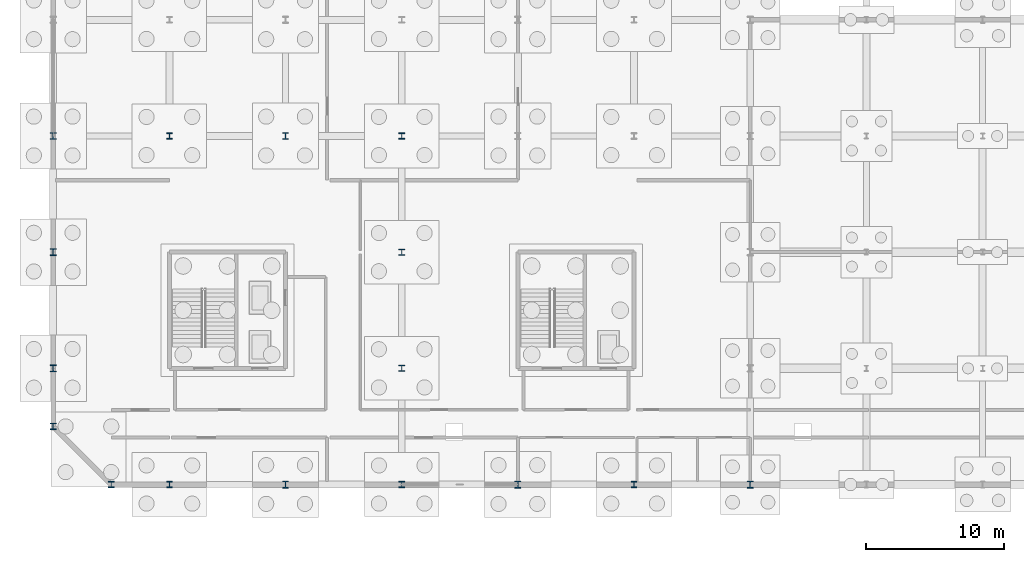
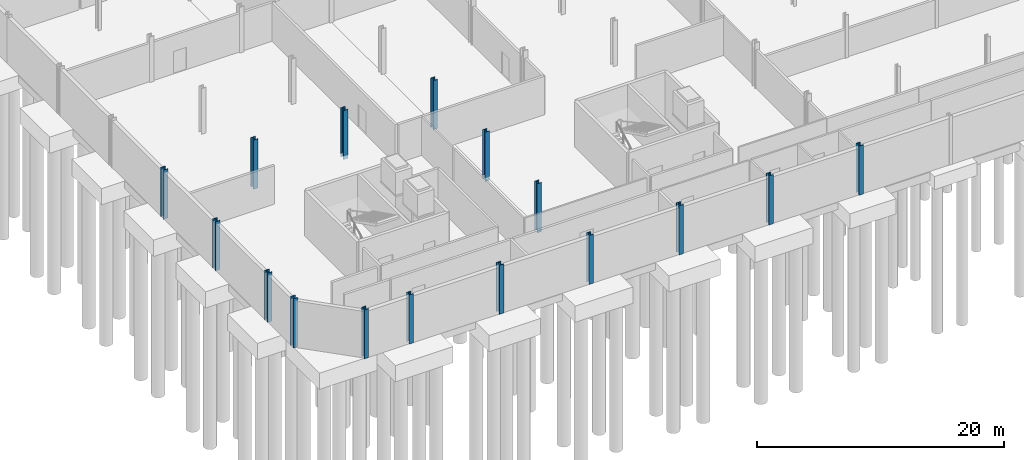
# One storey, part 12 of 51: 16 columns.
"""IFC4 building model written with IfcOpenShell, lengths in metres."""

from ifc_helpers import new_model, si_unit, direction, frame, origin, origin_2d, place, context, subcontext, project, spatial, i_section, extrude, material, material_profile, profile_set, type_object, element, save


model = new_model("IFC4")

# Units and contexts
model_context = context("Model", 3, precision=1e-05, world=origin(), true_north=direction((0.0, 1.0)))
body_context = subcontext(model_context, "Body", "Model", "MODEL_VIEW")
ifc_project = project(units=[si_unit("LENGTHUNIT", "METRE"), si_unit("AREAUNIT", "SQUARE_METRE"), si_unit("VOLUMEUNIT", "CUBIC_METRE"), si_unit("PLANEANGLEUNIT", "RADIAN"), si_unit("MASSUNIT", "GRAM", prefix="KILO")], contexts=[model_context])

# Site, building, storey
site_placement = place(None, origin())
site = spatial("IfcSite", under=ifc_project, at=site_placement, CompositionType="ELEMENT")
building_placement = place(site_placement, origin())
building = spatial("IfcBuilding", under=site, at=building_placement, Name="Qalvenar Corner Mobility Hub", CompositionType="ELEMENT")
storey_placement = place(building_placement, frame((0.0, 0.0, -4.5)))
storey = spatial("IfcBuildingStorey", under=building, at=storey_placement, Name="B1", CompositionType="ELEMENT", Elevation=-4.5)

# Columns
ifc_material = material(Name="Steel S355", Category="steel")
ifc_material_profile_1 = material_profile(ifc_material, i_section(OverallWidth=0.412109375, OverallDepth=0.455078125, WebThickness=0.030517578125, FlangeThickness=0.049072265625, FilletRadius=0.014892578125, at=origin_2d()), Name="HD400x421")
ifc_profile_set_1 = profile_set([ifc_material_profile_1], Name="Steel S355")
column_type_1 = type_object("IfcColumnType", Name="COL-HD400X382", PredefinedType="COLUMN", material=ifc_profile_set_1)
for number, where, z_axis, x_axis, name in (
    (1, (8.39990234375, 0.0, -0.35009765625), (0.0, 0.0, 1.0), (1.0, 0.0, 0.0), "Steel Column B1-G2-0"),
    (2, (8.39990234375, 25.199951171875, -0.35009765625), (0.0, 0.0, 1.0), (1.0, 0.0, 0.0), "Steel Column B1-G2-3"),
    (3, (25.199951171875, 0.0, -0.35009765625), (0.0, 0.0, 1.0), (1.0, 0.0, 0.0), "Steel Column B1-G4-0"),
    (4, (25.199951171875, 8.39990234375, -0.35009765625), (0.0, 0.0, 1.0), (1.0, 0.0, 0.0), "Steel Column B1-G4-1"),
    (5, (25.199951171875, 16.800048828125, -0.35009765625), (0.0, 0.0, 1.0), (1.0, 0.0, 0.0), "Steel Column B1-G4-2"),
    (6, (25.199951171875, 25.199951171875, -0.35009765625), (0.0, 0.0, 1.0), (1.0, 0.0, 0.0), "Steel Column B1-G4-3"),
    (7, (42.0, 0.0, -0.35009765625), (0.0, 0.0, 1.0), (1.0, 0.0, 0.0), "Steel Column B1-G6-0"),
    (8, (4.199951171875, 0.0, -0.35009765625), (0.0, 0.0, 1.0), (1.0, 0.0, 0.0), "Steel Column B1-SPL-S"),
    (9, (0.0, 4.199951171875, -0.35009765625), (0.0, 0.0, 1.0), (1.0, 0.0, 0.0), "Steel Column B1-SPL-W"),
):
    element("IfcColumn", number, at=place(storey_placement, frame(where, z_axis=z_axis, x_axis=x_axis)), inside=storey, type_object=column_type_1, Name=name, PredefinedType="COLUMN", context=body_context, shape_type="SweptSolid", body=[
        extrude(i_section(OverallWidth=0.412109375, OverallDepth=0.455078125, WebThickness=0.030517578125, FlangeThickness=0.049072265625, FilletRadius=0.014892578125, at=origin_2d()), origin(), (0.0, 0.0, 1.0), 4.85009765625),
    ])
ifc_material_profile_2 = material_profile(ifc_material, i_section(OverallWidth=0.419921875, OverallDepth=0.5048828125, WebThickness=0.03662109375, FlangeThickness=0.05908203125, FilletRadius=0.014892578125, at=origin_2d()), Name="HD400x551")
ifc_profile_set_2 = profile_set([ifc_material_profile_2], Name="Steel S355")
column_type_2 = type_object("IfcColumnType", Name="COL-HD400X463", PredefinedType="COLUMN", material=ifc_profile_set_2)
for number, where, z_axis, x_axis, name in (
    (10, (0.0, 8.39990234375, -0.35009765625), (0.0, 0.0, 1.0), (1.0, 0.0, 0.0), "Steel Column B1-G1-1"),
    (11, (0.0, 16.800048828125, -0.35009765625), (0.0, 0.0, 1.0), (1.0, 0.0, 0.0), "Steel Column B1-G1-2"),
    (12, (0.0, 25.199951171875, -0.35009765625), (0.0, 0.0, 1.0), (1.0, 0.0, 0.0), "Steel Column B1-G1-3"),
    (13, (16.800048828125, 0.0, -0.35009765625), (0.0, 0.0, 1.0), (1.0, 0.0, 0.0), "Steel Column B1-G3-0"),
    (14, (16.800048828125, 25.199951171875, -0.35009765625), (0.0, 0.0, 1.0), (1.0, 0.0, 0.0), "Steel Column B1-G3-3"),
    (15, (33.60009765625, 0.0, -0.35009765625), (0.0, 0.0, 1.0), (1.0, 0.0, 0.0), "Steel Column B1-G5-0"),
    (16, (50.39990234375, 0.0, -0.35009765625), (0.0, 0.0, 1.0), (1.0, 0.0, 0.0), "Steel Column B1-G7-0"),
):
    element("IfcColumn", number, at=place(storey_placement, frame(where, z_axis=z_axis, x_axis=x_axis)), inside=storey, type_object=column_type_2, Name=name, PredefinedType="COLUMN", context=body_context, shape_type="SweptSolid", body=[
        extrude(i_section(OverallWidth=0.419921875, OverallDepth=0.5048828125, WebThickness=0.03662109375, FlangeThickness=0.05908203125, FilletRadius=0.014892578125, at=origin_2d()), origin(), (0.0, 0.0, 1.0), 4.85009765625),
    ])

save(model, "model.ifc")
